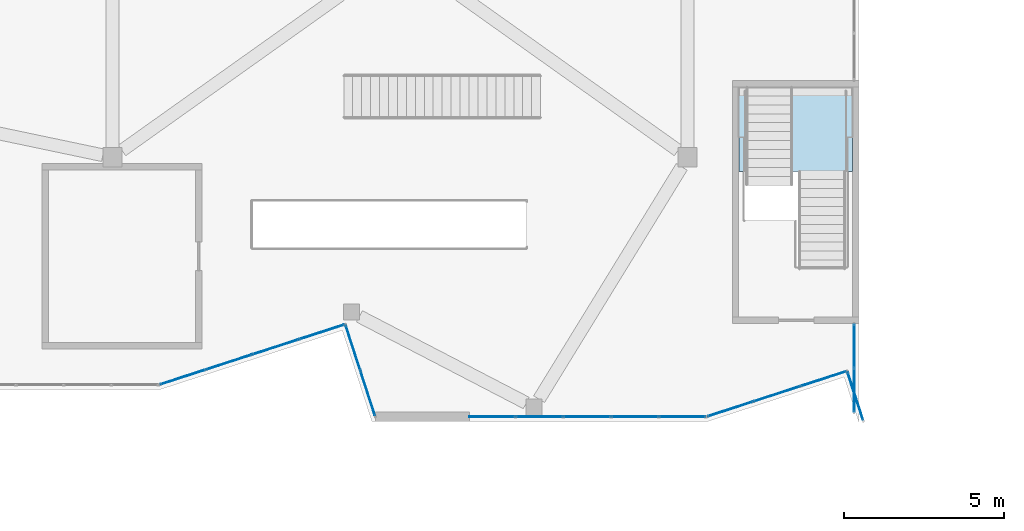
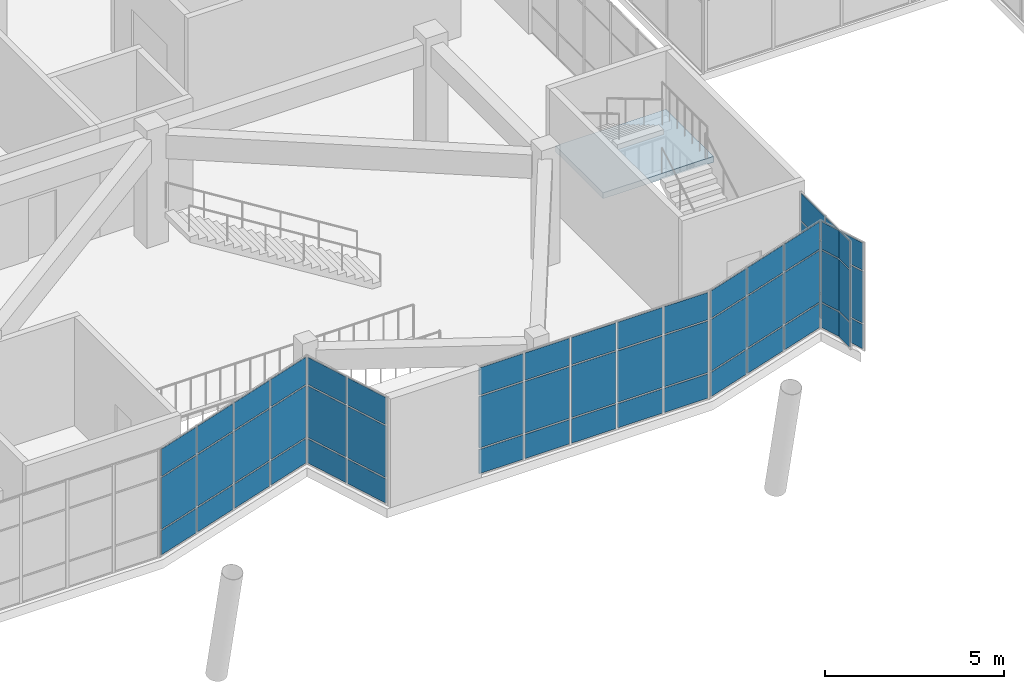
# One storey, part 47 of 66: 51 plates, 1 slab, 7 elements without a shape of their own.
"""IFC4 building model written with IfcOpenShell, lengths in metres."""

from ifc_helpers import new_model, si_unit, direction, frame, origin, origin_2d, place, context, subcontext, project, spatial, polyline, rectangle, outline, extrude, material, layer, layer_set, type_object, element, aggregate, save


model = new_model("IFC4")

# Units and contexts
model_context = context("Model", 3, precision=1e-05, world=origin(), true_north=direction((0.0, 1.0)))
body_context = subcontext(model_context, "Body", "Model", "MODEL_VIEW")
ifc_project = project(units=[si_unit("LENGTHUNIT", "METRE"), si_unit("AREAUNIT", "SQUARE_METRE"), si_unit("VOLUMEUNIT", "CUBIC_METRE"), si_unit("PLANEANGLEUNIT", "RADIAN"), si_unit("MASSUNIT", "GRAM", prefix="KILO")], contexts=[model_context])

# Site, building, storey
site_placement = place(None, origin())
site = spatial("IfcSite", under=ifc_project, at=site_placement, CompositionType="ELEMENT")
building_placement = place(site_placement, origin())
building = spatial("IfcBuilding", under=site, at=building_placement, Name="Tuart Plaza Theatre", CompositionType="ELEMENT")
storey_placement = place(building_placement, frame((0.0, 0.0, 5.5)))
storey = spatial("IfcBuildingStorey", under=building, at=storey_placement, Name="L01", CompositionType="ELEMENT", Elevation=5.5)

# Curtain wall, plates
ifc_material_1 = material(Name="Aluminium and glass", Category="aluminium")
ifc_layer_1 = layer(ifc_material_1, 0.10009765625)
ifc_layer_set_1 = layer_set([ifc_layer_1], Name="CURTAIN WALL 1500 module")
curtain_wall_type = type_object("IfcCurtainWallType", Name="CURTAIN WALL 1500 module", PredefinedType="NOTDEFINED", material=ifc_layer_set_1)
curtain_wall_1_placement = place(storey_placement, origin())
curtain_wall_1 = element("IfcCurtainWall", 1, at=curtain_wall_1_placement, inside=storey, type_object=curtain_wall_type, Name="CW16", PredefinedType="NOTDEFINED")
ifc_material_2 = material(Name="Glass", Category="glass")
ifc_layer_2 = layer(ifc_material_2, 0.028076171875)
ifc_layer_set_2 = layer_set([ifc_layer_2], Name="CURTAIN PANEL double glazed 28")
plate_type = type_object("IfcPlateType", Name="CURTAIN PANEL double glazed 28", PredefinedType="CURTAIN_PANEL", material=ifc_layer_set_2)
plate_1_placement = place(storey_placement, frame((89.203369140625, 42.718505859375, 0.0498046875), z_axis=(0.0, 0.0, 1.0), x_axis=(0.95105611396, 0.309018232632, 0.0)))
plate_1 = element("IfcPlate", 2, at=plate_1_placement, type_object=plate_type, Name="CW16 panel 1.1", PredefinedType="CURTAIN_PANEL", context=body_context, shape_type="SweptSolid", body=[
    extrude(rectangle(XDim=1.45654296875, YDim=0.028076171875, at=origin_2d()), origin(), (0.0, 0.0, 1.0), 0.824951171875),
])
plate_2_placement = place(storey_placement, frame((89.203369140625, 42.718505859375, 0.925048828125), z_axis=(0.0, 0.0, 1.0), x_axis=(0.95105611396, 0.309018232632, 0.0)))
plate_2 = element("IfcPlate", 3, at=plate_2_placement, type_object=plate_type, Name="CW16 panel 1.2", PredefinedType="CURTAIN_PANEL", context=body_context, shape_type="SweptSolid", body=[
    extrude(rectangle(XDim=1.45654296875, YDim=0.028076171875, at=origin_2d()), origin(), (0.0, 0.0, 1.0), 1.75),
])
plate_3_placement = place(storey_placement, frame((89.203369140625, 42.718505859375, 2.72509765625), z_axis=(0.0, 0.0, 1.0), x_axis=(0.95105611396, 0.309018232632, 0.0)))
plate_3 = element("IfcPlate", 4, at=plate_3_placement, type_object=plate_type, Name="CW16 panel 1.3", PredefinedType="CURTAIN_PANEL", context=body_context, shape_type="SweptSolid", body=[
    extrude(rectangle(XDim=1.45654296875, YDim=0.028076171875, at=origin_2d()), origin(), (0.0, 0.0, 1.0), 0.925048828125),
])
plate_4_placement = place(storey_placement, frame((90.64794921875, 43.18798828125, 0.0498046875), z_axis=(0.0, 0.0, 1.0), x_axis=(0.95105611396, 0.309018232632, 0.0)))
plate_4 = element("IfcPlate", 5, at=plate_4_placement, type_object=plate_type, Name="CW16 panel 2.1", PredefinedType="CURTAIN_PANEL", context=body_context, shape_type="SweptSolid", body=[
    extrude(rectangle(XDim=1.4814453125, YDim=0.028076171875, at=origin_2d()), origin(), (0.0, 0.0, 1.0), 0.824951171875),
])
plate_5_placement = place(storey_placement, frame((90.64794921875, 43.18798828125, 0.925048828125), z_axis=(0.0, 0.0, 1.0), x_axis=(0.95105611396, 0.309018232632, 0.0)))
plate_5 = element("IfcPlate", 6, at=plate_5_placement, type_object=plate_type, Name="CW16 panel 2.2", PredefinedType="CURTAIN_PANEL", context=body_context, shape_type="SweptSolid", body=[
    extrude(rectangle(XDim=1.4814453125, YDim=0.028076171875, at=origin_2d()), origin(), (0.0, 0.0, 1.0), 1.75),
])
plate_6_placement = place(storey_placement, frame((90.64794921875, 43.18798828125, 2.72509765625), z_axis=(0.0, 0.0, 1.0), x_axis=(0.95105611396, 0.309018232632, 0.0)))
plate_6 = element("IfcPlate", 7, at=plate_6_placement, type_object=plate_type, Name="CW16 panel 2.3", PredefinedType="CURTAIN_PANEL", context=body_context, shape_type="SweptSolid", body=[
    extrude(rectangle(XDim=1.4814453125, YDim=0.028076171875, at=origin_2d()), origin(), (0.0, 0.0, 1.0), 0.925048828125),
])
plate_7_placement = place(storey_placement, frame((92.1044921875, 43.6611328125, 0.0498046875), z_axis=(0.0, 0.0, 1.0), x_axis=(0.95105611396, 0.309018232632, 0.0)))
plate_7 = element("IfcPlate", 8, at=plate_7_placement, type_object=plate_type, Name="CW16 panel 3.1", PredefinedType="CURTAIN_PANEL", context=body_context, shape_type="SweptSolid", body=[
    extrude(rectangle(XDim=1.4814453125, YDim=0.028076171875, at=origin_2d()), origin(), (0.0, 0.0, 1.0), 0.824951171875),
])
plate_8_placement = place(storey_placement, frame((92.1044921875, 43.6611328125, 0.925048828125), z_axis=(0.0, 0.0, 1.0), x_axis=(0.95105611396, 0.309018232632, 0.0)))
plate_8 = element("IfcPlate", 9, at=plate_8_placement, type_object=plate_type, Name="CW16 panel 3.2", PredefinedType="CURTAIN_PANEL", context=body_context, shape_type="SweptSolid", body=[
    extrude(rectangle(XDim=1.4814453125, YDim=0.028076171875, at=origin_2d()), origin(), (0.0, 0.0, 1.0), 1.75),
])
plate_9_placement = place(storey_placement, frame((92.1044921875, 43.6611328125, 2.72509765625), z_axis=(0.0, 0.0, 1.0), x_axis=(0.95105611396, 0.309018232632, 0.0)))
plate_9 = element("IfcPlate", 10, at=plate_9_placement, type_object=plate_type, Name="CW16 panel 3.3", PredefinedType="CURTAIN_PANEL", context=body_context, shape_type="SweptSolid", body=[
    extrude(rectangle(XDim=1.4814453125, YDim=0.028076171875, at=origin_2d()), origin(), (0.0, 0.0, 1.0), 0.925048828125),
])
plate_10_placement = place(storey_placement, frame((93.549072265625, 44.130615234375, 0.0498046875), z_axis=(0.0, 0.0, 1.0), x_axis=(0.95105611396, 0.309018232632, 0.0)))
plate_10 = element("IfcPlate", 11, at=plate_10_placement, type_object=plate_type, Name="CW16 panel 4.1", PredefinedType="CURTAIN_PANEL", context=body_context, shape_type="SweptSolid", body=[
    extrude(rectangle(XDim=1.45654296875, YDim=0.028076171875, at=origin_2d()), origin(), (0.0, 0.0, 1.0), 0.824951171875),
])
plate_11_placement = place(storey_placement, frame((93.549072265625, 44.130615234375, 0.925048828125), z_axis=(0.0, 0.0, 1.0), x_axis=(0.95105611396, 0.309018232632, 0.0)))
plate_11 = element("IfcPlate", 12, at=plate_11_placement, type_object=plate_type, Name="CW16 panel 4.2", PredefinedType="CURTAIN_PANEL", context=body_context, shape_type="SweptSolid", body=[
    extrude(rectangle(XDim=1.45654296875, YDim=0.028076171875, at=origin_2d()), origin(), (0.0, 0.0, 1.0), 1.75),
])
plate_12_placement = place(storey_placement, frame((93.549072265625, 44.130615234375, 2.72509765625), z_axis=(0.0, 0.0, 1.0), x_axis=(0.95105611396, 0.309018232632, 0.0)))
plate_12 = element("IfcPlate", 13, at=plate_12_placement, type_object=plate_type, Name="CW16 panel 4.3", PredefinedType="CURTAIN_PANEL", context=body_context, shape_type="SweptSolid", body=[
    extrude(rectangle(XDim=1.45654296875, YDim=0.028076171875, at=origin_2d()), origin(), (0.0, 0.0, 1.0), 0.925048828125),
])
aggregate(curtain_wall_1, [plate_1, plate_2, plate_3, plate_4, plate_5, plate_6, plate_7, plate_8, plate_9, plate_10, plate_11, plate_12])

curtain_wall_2_placement = place(storey_placement, origin())
curtain_wall_2 = element("IfcCurtainWall", 14, at=curtain_wall_2_placement, inside=storey, type_object=curtain_wall_type, Name="CW17", PredefinedType="NOTDEFINED")
plate_13_placement = place(storey_placement, frame((94.528076171875, 43.63623046875, 0.0498046875), z_axis=(0.0, 0.0, 1.0), x_axis=(0.309018232665, -0.951056113949, 0.0)))
plate_13 = element("IfcPlate", 15, at=plate_13_placement, type_object=plate_type, Name="CW17 panel 1.1", PredefinedType="CURTAIN_PANEL", context=body_context, shape_type="SweptSolid", body=[
    extrude(rectangle(XDim=1.4453125, YDim=0.028076171875, at=origin_2d()), origin(), (0.0, 0.0, 1.0), 0.824951171875),
])
plate_14_placement = place(storey_placement, frame((94.528076171875, 43.63623046875, 0.925048828125), z_axis=(0.0, 0.0, 1.0), x_axis=(0.309018232665, -0.951056113949, 0.0)))
plate_14 = element("IfcPlate", 16, at=plate_14_placement, type_object=plate_type, Name="CW17 panel 1.2", PredefinedType="CURTAIN_PANEL", context=body_context, shape_type="SweptSolid", body=[
    extrude(rectangle(XDim=1.4453125, YDim=0.028076171875, at=origin_2d()), origin(), (0.0, 0.0, 1.0), 1.75),
])
plate_15_placement = place(storey_placement, frame((94.528076171875, 43.63623046875, 2.72509765625), z_axis=(0.0, 0.0, 1.0), x_axis=(0.309018232665, -0.951056113949, 0.0)))
plate_15 = element("IfcPlate", 17, at=plate_15_placement, type_object=plate_type, Name="CW17 panel 1.3", PredefinedType="CURTAIN_PANEL", context=body_context, shape_type="SweptSolid", body=[
    extrude(rectangle(XDim=1.4453125, YDim=0.028076171875, at=origin_2d()), origin(), (0.0, 0.0, 1.0), 0.925048828125),
])
plate_16_placement = place(storey_placement, frame((94.990234375, 42.2138671875, 0.0498046875), z_axis=(0.0, 0.0, 1.0), x_axis=(0.309018232665, -0.951056113949, 0.0)))
plate_16 = element("IfcPlate", 18, at=plate_16_placement, type_object=plate_type, Name="CW17 panel 2.1", PredefinedType="CURTAIN_PANEL", context=body_context, shape_type="SweptSolid", body=[
    extrude(rectangle(XDim=1.4453125, YDim=0.028076171875, at=origin_2d()), origin(), (0.0, 0.0, 1.0), 0.824951171875),
])
plate_17_placement = place(storey_placement, frame((94.990234375, 42.2138671875, 0.925048828125), z_axis=(0.0, 0.0, 1.0), x_axis=(0.309018232665, -0.951056113949, 0.0)))
plate_17 = element("IfcPlate", 19, at=plate_17_placement, type_object=plate_type, Name="CW17 panel 2.2", PredefinedType="CURTAIN_PANEL", context=body_context, shape_type="SweptSolid", body=[
    extrude(rectangle(XDim=1.4453125, YDim=0.028076171875, at=origin_2d()), origin(), (0.0, 0.0, 1.0), 1.75),
])
plate_18_placement = place(storey_placement, frame((94.990234375, 42.2138671875, 2.72509765625), z_axis=(0.0, 0.0, 1.0), x_axis=(0.309018232665, -0.951056113949, 0.0)))
plate_18 = element("IfcPlate", 20, at=plate_18_placement, type_object=plate_type, Name="CW17 panel 2.3", PredefinedType="CURTAIN_PANEL", context=body_context, shape_type="SweptSolid", body=[
    extrude(rectangle(XDim=1.4453125, YDim=0.028076171875, at=origin_2d()), origin(), (0.0, 0.0, 1.0), 0.925048828125),
])
aggregate(curtain_wall_2, [plate_13, plate_14, plate_15, plate_16, plate_17, plate_18])

curtain_wall_3_placement = place(storey_placement, origin())
curtain_wall_3 = element("IfcCurtainWall", 21, at=curtain_wall_3_placement, inside=storey, type_object=curtain_wall_type, Name="CW18", PredefinedType="NOTDEFINED")
plate_19_placement = place(storey_placement, frame((98.880126953125, 41.47900390625, 0.0498046875), z_axis=(0.0, 0.0, 1.0), x_axis=(1.0, 0.0, 0.0)))
plate_19 = element("IfcPlate", 22, at=plate_19_placement, type_object=plate_type, Name="CW18 panel 1.1", PredefinedType="CURTAIN_PANEL", context=body_context, shape_type="SweptSolid", body=[
    extrude(rectangle(XDim=1.420166015625, YDim=0.028076171875, at=origin_2d()), origin(), (0.0, 0.0, 1.0), 0.824951171875),
])
plate_20_placement = place(storey_placement, frame((98.880126953125, 41.47900390625, 0.925048828125), z_axis=(0.0, 0.0, 1.0), x_axis=(1.0, 0.0, 0.0)))
plate_20 = element("IfcPlate", 23, at=plate_20_placement, type_object=plate_type, Name="CW18 panel 1.2", PredefinedType="CURTAIN_PANEL", context=body_context, shape_type="SweptSolid", body=[
    extrude(rectangle(XDim=1.420166015625, YDim=0.028076171875, at=origin_2d()), origin(), (0.0, 0.0, 1.0), 1.75),
])
plate_21_placement = place(storey_placement, frame((98.880126953125, 41.47900390625, 2.72509765625), z_axis=(0.0, 0.0, 1.0), x_axis=(1.0, 0.0, 0.0)))
plate_21 = element("IfcPlate", 24, at=plate_21_placement, type_object=plate_type, Name="CW18 panel 1.3", PredefinedType="CURTAIN_PANEL", context=body_context, shape_type="SweptSolid", body=[
    extrude(rectangle(XDim=1.420166015625, YDim=0.028076171875, at=origin_2d()), origin(), (0.0, 0.0, 1.0), 0.925048828125),
])
plate_22_placement = place(storey_placement, frame((100.36279296875, 41.47900390625, 0.0498046875), z_axis=(0.0, 0.0, 1.0), x_axis=(1.0, 0.0, 0.0)))
plate_22 = element("IfcPlate", 25, at=plate_22_placement, type_object=plate_type, Name="CW18 panel 2.1", PredefinedType="CURTAIN_PANEL", context=body_context, shape_type="SweptSolid", body=[
    extrude(rectangle(XDim=1.4453125, YDim=0.028076171875, at=origin_2d()), origin(), (0.0, 0.0, 1.0), 0.824951171875),
])
plate_23_placement = place(storey_placement, frame((100.36279296875, 41.47900390625, 0.925048828125), z_axis=(0.0, 0.0, 1.0), x_axis=(1.0, 0.0, 0.0)))
plate_23 = element("IfcPlate", 26, at=plate_23_placement, type_object=plate_type, Name="CW18 panel 2.2", PredefinedType="CURTAIN_PANEL", context=body_context, shape_type="SweptSolid", body=[
    extrude(rectangle(XDim=1.4453125, YDim=0.028076171875, at=origin_2d()), origin(), (0.0, 0.0, 1.0), 1.75),
])
plate_24_placement = place(storey_placement, frame((100.36279296875, 41.47900390625, 2.72509765625), z_axis=(0.0, 0.0, 1.0), x_axis=(1.0, 0.0, 0.0)))
plate_24 = element("IfcPlate", 27, at=plate_24_placement, type_object=plate_type, Name="CW18 panel 2.3", PredefinedType="CURTAIN_PANEL", context=body_context, shape_type="SweptSolid", body=[
    extrude(rectangle(XDim=1.4453125, YDim=0.028076171875, at=origin_2d()), origin(), (0.0, 0.0, 1.0), 0.925048828125),
])
plate_25_placement = place(storey_placement, frame((101.858154296875, 41.47900390625, 0.0498046875), z_axis=(0.0, 0.0, 1.0), x_axis=(1.0, 0.0, 0.0)))
plate_25 = element("IfcPlate", 28, at=plate_25_placement, type_object=plate_type, Name="CW18 panel 3.1", PredefinedType="CURTAIN_PANEL", context=body_context, shape_type="SweptSolid", body=[
    extrude(rectangle(XDim=1.4453125, YDim=0.028076171875, at=origin_2d()), origin(), (0.0, 0.0, 1.0), 0.824951171875),
])
plate_26_placement = place(storey_placement, frame((101.858154296875, 41.47900390625, 0.925048828125), z_axis=(0.0, 0.0, 1.0), x_axis=(1.0, 0.0, 0.0)))
plate_26 = element("IfcPlate", 29, at=plate_26_placement, type_object=plate_type, Name="CW18 panel 3.2", PredefinedType="CURTAIN_PANEL", context=body_context, shape_type="SweptSolid", body=[
    extrude(rectangle(XDim=1.4453125, YDim=0.028076171875, at=origin_2d()), origin(), (0.0, 0.0, 1.0), 1.75),
])
plate_27_placement = place(storey_placement, frame((101.858154296875, 41.47900390625, 2.72509765625), z_axis=(0.0, 0.0, 1.0), x_axis=(1.0, 0.0, 0.0)))
plate_27 = element("IfcPlate", 30, at=plate_27_placement, type_object=plate_type, Name="CW18 panel 3.3", PredefinedType="CURTAIN_PANEL", context=body_context, shape_type="SweptSolid", body=[
    extrude(rectangle(XDim=1.4453125, YDim=0.028076171875, at=origin_2d()), origin(), (0.0, 0.0, 1.0), 0.925048828125),
])
plate_28_placement = place(storey_placement, frame((103.353271484375, 41.47900390625, 0.0498046875), z_axis=(0.0, 0.0, 1.0), x_axis=(1.0, 0.0, 0.0)))
plate_28 = element("IfcPlate", 31, at=plate_28_placement, type_object=plate_type, Name="CW18 panel 4.1", PredefinedType="CURTAIN_PANEL", context=body_context, shape_type="SweptSolid", body=[
    extrude(rectangle(XDim=1.4453125, YDim=0.028076171875, at=origin_2d()), origin(), (0.0, 0.0, 1.0), 0.824951171875),
])
plate_29_placement = place(storey_placement, frame((103.353271484375, 41.47900390625, 0.925048828125), z_axis=(0.0, 0.0, 1.0), x_axis=(1.0, 0.0, 0.0)))
plate_29 = element("IfcPlate", 32, at=plate_29_placement, type_object=plate_type, Name="CW18 panel 4.2", PredefinedType="CURTAIN_PANEL", context=body_context, shape_type="SweptSolid", body=[
    extrude(rectangle(XDim=1.4453125, YDim=0.028076171875, at=origin_2d()), origin(), (0.0, 0.0, 1.0), 1.75),
])
plate_30_placement = place(storey_placement, frame((103.353271484375, 41.47900390625, 2.72509765625), z_axis=(0.0, 0.0, 1.0), x_axis=(1.0, 0.0, 0.0)))
plate_30 = element("IfcPlate", 33, at=plate_30_placement, type_object=plate_type, Name="CW18 panel 4.3", PredefinedType="CURTAIN_PANEL", context=body_context, shape_type="SweptSolid", body=[
    extrude(rectangle(XDim=1.4453125, YDim=0.028076171875, at=origin_2d()), origin(), (0.0, 0.0, 1.0), 0.925048828125),
])
plate_31_placement = place(storey_placement, frame((104.836181640625, 41.47900390625, 0.0498046875), z_axis=(0.0, 0.0, 1.0), x_axis=(1.0, 0.0, 0.0)))
plate_31 = element("IfcPlate", 34, at=plate_31_placement, type_object=plate_type, Name="CW18 panel 5.1", PredefinedType="CURTAIN_PANEL", context=body_context, shape_type="SweptSolid", body=[
    extrude(rectangle(XDim=1.420166015625, YDim=0.028076171875, at=origin_2d()), origin(), (0.0, 0.0, 1.0), 0.824951171875),
])
plate_32_placement = place(storey_placement, frame((104.836181640625, 41.47900390625, 0.925048828125), z_axis=(0.0, 0.0, 1.0), x_axis=(1.0, 0.0, 0.0)))
plate_32 = element("IfcPlate", 35, at=plate_32_placement, type_object=plate_type, Name="CW18 panel 5.2", PredefinedType="CURTAIN_PANEL", context=body_context, shape_type="SweptSolid", body=[
    extrude(rectangle(XDim=1.420166015625, YDim=0.028076171875, at=origin_2d()), origin(), (0.0, 0.0, 1.0), 1.75),
])
plate_33_placement = place(storey_placement, frame((104.836181640625, 41.47900390625, 2.72509765625), z_axis=(0.0, 0.0, 1.0), x_axis=(1.0, 0.0, 0.0)))
plate_33 = element("IfcPlate", 36, at=plate_33_placement, type_object=plate_type, Name="CW18 panel 5.3", PredefinedType="CURTAIN_PANEL", context=body_context, shape_type="SweptSolid", body=[
    extrude(rectangle(XDim=1.420166015625, YDim=0.028076171875, at=origin_2d()), origin(), (0.0, 0.0, 1.0), 0.925048828125),
])
aggregate(curtain_wall_3, [plate_19, plate_20, plate_21, plate_22, plate_23, plate_24, plate_25, plate_26, plate_27, plate_28, plate_29, plate_30, plate_31, plate_32, plate_33])

curtain_wall_4_placement = place(storey_placement, origin())
curtain_wall_4 = element("IfcCurtainWall", 37, at=curtain_wall_4_placement, inside=storey, type_object=curtain_wall_type, Name="CW19", PredefinedType="NOTDEFINED")
plate_34_placement = place(storey_placement, frame((106.341552734375, 41.720947265625, 0.0498046875), z_axis=(0.0, 0.0, 1.0), x_axis=(0.951099369235, 0.308885075459, 0.0)))
plate_34 = element("IfcPlate", 38, at=plate_34_placement, type_object=plate_type, Name="CW19 panel 1.1", PredefinedType="CURTAIN_PANEL", context=body_context, shape_type="SweptSolid", body=[
    extrude(rectangle(XDim=1.467041015625, YDim=0.028076171875, at=origin_2d()), origin(), (0.0, 0.0, 1.0), 0.824951171875),
])
plate_35_placement = place(storey_placement, frame((106.341552734375, 41.720947265625, 0.925048828125), z_axis=(0.0, 0.0, 1.0), x_axis=(0.951099369235, 0.308885075459, 0.0)))
plate_35 = element("IfcPlate", 39, at=plate_35_placement, type_object=plate_type, Name="CW19 panel 1.2", PredefinedType="CURTAIN_PANEL", context=body_context, shape_type="SweptSolid", body=[
    extrude(rectangle(XDim=1.467041015625, YDim=0.028076171875, at=origin_2d()), origin(), (0.0, 0.0, 1.0), 1.75),
])
plate_36_placement = place(storey_placement, frame((106.341552734375, 41.720947265625, 2.72509765625), z_axis=(0.0, 0.0, 1.0), x_axis=(0.951099369235, 0.308885075459, 0.0)))
plate_36 = element("IfcPlate", 40, at=plate_36_placement, type_object=plate_type, Name="CW19 panel 1.3", PredefinedType="CURTAIN_PANEL", context=body_context, shape_type="SweptSolid", body=[
    extrude(rectangle(XDim=1.467041015625, YDim=0.028076171875, at=origin_2d()), origin(), (0.0, 0.0, 1.0), 0.925048828125),
])
plate_37_placement = place(storey_placement, frame((107.79638671875, 42.193603515625, 0.0498046875), z_axis=(0.0, 0.0, 1.0), x_axis=(0.951099369235, 0.308885075459, 0.0)))
plate_37 = element("IfcPlate", 41, at=plate_37_placement, type_object=plate_type, Name="CW19 panel 2.1", PredefinedType="CURTAIN_PANEL", context=body_context, shape_type="SweptSolid", body=[
    extrude(rectangle(XDim=1.4921875, YDim=0.028076171875, at=origin_2d()), origin(), (0.0, 0.0, 1.0), 0.824951171875),
])
plate_38_placement = place(storey_placement, frame((107.79638671875, 42.193603515625, 0.925048828125), z_axis=(0.0, 0.0, 1.0), x_axis=(0.951099369235, 0.308885075459, 0.0)))
plate_38 = element("IfcPlate", 42, at=plate_38_placement, type_object=plate_type, Name="CW19 panel 2.2", PredefinedType="CURTAIN_PANEL", context=body_context, shape_type="SweptSolid", body=[
    extrude(rectangle(XDim=1.4921875, YDim=0.028076171875, at=origin_2d()), origin(), (0.0, 0.0, 1.0), 1.75),
])
plate_39_placement = place(storey_placement, frame((107.79638671875, 42.193603515625, 2.72509765625), z_axis=(0.0, 0.0, 1.0), x_axis=(0.951099369235, 0.308885075459, 0.0)))
plate_39 = element("IfcPlate", 43, at=plate_39_placement, type_object=plate_type, Name="CW19 panel 2.3", PredefinedType="CURTAIN_PANEL", context=body_context, shape_type="SweptSolid", body=[
    extrude(rectangle(XDim=1.4921875, YDim=0.028076171875, at=origin_2d()), origin(), (0.0, 0.0, 1.0), 0.925048828125),
])
plate_40_placement = place(storey_placement, frame((109.251220703125, 42.666015625, 0.0498046875), z_axis=(0.0, 0.0, 1.0), x_axis=(0.951099369235, 0.308885075459, 0.0)))
plate_40 = element("IfcPlate", 44, at=plate_40_placement, type_object=plate_type, Name="CW19 panel 3.1", PredefinedType="CURTAIN_PANEL", context=body_context, shape_type="SweptSolid", body=[
    extrude(rectangle(XDim=1.467041015625, YDim=0.028076171875, at=origin_2d()), origin(), (0.0, 0.0, 1.0), 0.824951171875),
])
plate_41_placement = place(storey_placement, frame((109.251220703125, 42.666015625, 0.925048828125), z_axis=(0.0, 0.0, 1.0), x_axis=(0.951099369235, 0.308885075459, 0.0)))
plate_41 = element("IfcPlate", 45, at=plate_41_placement, type_object=plate_type, Name="CW19 panel 3.2", PredefinedType="CURTAIN_PANEL", context=body_context, shape_type="SweptSolid", body=[
    extrude(rectangle(XDim=1.467041015625, YDim=0.028076171875, at=origin_2d()), origin(), (0.0, 0.0, 1.0), 1.75),
])
plate_42_placement = place(storey_placement, frame((109.251220703125, 42.666015625, 2.72509765625), z_axis=(0.0, 0.0, 1.0), x_axis=(0.951099369235, 0.308885075459, 0.0)))
plate_42 = element("IfcPlate", 46, at=plate_42_placement, type_object=plate_type, Name="CW19 panel 3.3", PredefinedType="CURTAIN_PANEL", context=body_context, shape_type="SweptSolid", body=[
    extrude(rectangle(XDim=1.467041015625, YDim=0.028076171875, at=origin_2d()), origin(), (0.0, 0.0, 1.0), 0.925048828125),
])
aggregate(curtain_wall_4, [plate_34, plate_35, plate_36, plate_37, plate_38, plate_39, plate_40, plate_41, plate_42])

curtain_wall_5_placement = place(storey_placement, origin())
curtain_wall_5 = element("IfcCurtainWall", 47, at=curtain_wall_5_placement, inside=storey, type_object=curtain_wall_type, Name="CW20", PredefinedType="NOTDEFINED")
plate_43_placement = place(storey_placement, frame((110.2509765625, 42.123779296875, 0.0498046875), z_axis=(0.0, 0.0, 1.0), x_axis=(0.30881459025, -0.951122257572, 0.0)))
plate_43 = element("IfcPlate", 48, at=plate_43_placement, type_object=plate_type, Name="CW20 panel 1.1", PredefinedType="CURTAIN_PANEL", context=body_context, shape_type="SweptSolid", body=[
    extrude(rectangle(XDim=1.54931640625, YDim=0.028076171875, at=origin_2d()), origin(), (0.0, 0.0, 1.0), 0.824951171875),
])
plate_44_placement = place(storey_placement, frame((110.2509765625, 42.123779296875, 0.925048828125), z_axis=(0.0, 0.0, 1.0), x_axis=(0.30881459025, -0.951122257572, 0.0)))
plate_44 = element("IfcPlate", 49, at=plate_44_placement, type_object=plate_type, Name="CW20 panel 1.2", PredefinedType="CURTAIN_PANEL", context=body_context, shape_type="SweptSolid", body=[
    extrude(rectangle(XDim=1.54931640625, YDim=0.028076171875, at=origin_2d()), origin(), (0.0, 0.0, 1.0), 1.75),
])
plate_45_placement = place(storey_placement, frame((110.2509765625, 42.123779296875, 2.72509765625), z_axis=(0.0, 0.0, 1.0), x_axis=(0.30881459025, -0.951122257572, 0.0)))
plate_45 = element("IfcPlate", 50, at=plate_45_placement, type_object=plate_type, Name="CW20 panel 1.3", PredefinedType="CURTAIN_PANEL", context=body_context, shape_type="SweptSolid", body=[
    extrude(rectangle(XDim=1.54931640625, YDim=0.028076171875, at=origin_2d()), origin(), (0.0, 0.0, 1.0), 0.925048828125),
])
aggregate(curtain_wall_5, [plate_43, plate_44, plate_45])

curtain_wall_6_placement = place(storey_placement, origin())
curtain_wall_6 = element("IfcCurtainWall", 51, at=curtain_wall_6_placement, inside=storey, type_object=curtain_wall_type, Name="CW21", PredefinedType="NOTDEFINED")
plate_46_placement = place(storey_placement, frame((110.212890625, 42.30712890625, 0.0498046875), z_axis=(0.0, 0.0, 1.0), x_axis=(0.0, 1.0, 0.0)))
plate_46 = element("IfcPlate", 52, at=plate_46_placement, type_object=plate_type, Name="CW21 panel 1.1", PredefinedType="CURTAIN_PANEL", context=body_context, shape_type="SweptSolid", body=[
    extrude(rectangle(XDim=1.32861328125, YDim=0.028076171875, at=origin_2d()), origin(), (0.0, 0.0, 1.0), 0.824951171875),
])
plate_47_placement = place(storey_placement, frame((110.212890625, 42.30712890625, 0.925048828125), z_axis=(0.0, 0.0, 1.0), x_axis=(0.0, 1.0, 0.0)))
plate_47 = element("IfcPlate", 53, at=plate_47_placement, type_object=plate_type, Name="CW21 panel 1.2", PredefinedType="CURTAIN_PANEL", context=body_context, shape_type="SweptSolid", body=[
    extrude(rectangle(XDim=1.32861328125, YDim=0.028076171875, at=origin_2d()), origin(), (0.0, 0.0, 1.0), 1.75),
])
plate_48_placement = place(storey_placement, frame((110.212890625, 42.30712890625, 2.72509765625), z_axis=(0.0, 0.0, 1.0), x_axis=(0.0, 1.0, 0.0)))
plate_48 = element("IfcPlate", 54, at=plate_48_placement, type_object=plate_type, Name="CW21 panel 1.3", PredefinedType="CURTAIN_PANEL", context=body_context, shape_type="SweptSolid", body=[
    extrude(rectangle(XDim=1.32861328125, YDim=0.028076171875, at=origin_2d()), origin(), (0.0, 0.0, 1.0), 0.925048828125),
])
plate_49_placement = place(storey_placement, frame((110.212890625, 43.685791015625, 0.0498046875), z_axis=(0.0, 0.0, 1.0), x_axis=(0.0, 1.0, 0.0)))
plate_49 = element("IfcPlate", 55, at=plate_49_placement, type_object=plate_type, Name="CW21 panel 2.1", PredefinedType="CURTAIN_PANEL", context=body_context, shape_type="SweptSolid", body=[
    extrude(rectangle(XDim=1.32861328125, YDim=0.028076171875, at=origin_2d()), origin(), (0.0, 0.0, 1.0), 0.824951171875),
])
plate_50_placement = place(storey_placement, frame((110.212890625, 43.685791015625, 0.925048828125), z_axis=(0.0, 0.0, 1.0), x_axis=(0.0, 1.0, 0.0)))
plate_50 = element("IfcPlate", 56, at=plate_50_placement, type_object=plate_type, Name="CW21 panel 2.2", PredefinedType="CURTAIN_PANEL", context=body_context, shape_type="SweptSolid", body=[
    extrude(rectangle(XDim=1.32861328125, YDim=0.028076171875, at=origin_2d()), origin(), (0.0, 0.0, 1.0), 1.75),
])
plate_51_placement = place(storey_placement, frame((110.212890625, 43.685791015625, 2.72509765625), z_axis=(0.0, 0.0, 1.0), x_axis=(0.0, 1.0, 0.0)))
plate_51 = element("IfcPlate", 57, at=plate_51_placement, type_object=plate_type, Name="CW21 panel 2.3", PredefinedType="CURTAIN_PANEL", context=body_context, shape_type="SweptSolid", body=[
    extrude(rectangle(XDim=1.32861328125, YDim=0.028076171875, at=origin_2d()), origin(), (0.0, 0.0, 1.0), 0.925048828125),
])
aggregate(curtain_wall_6, [plate_46, plate_47, plate_48, plate_49, plate_50, plate_51])

# Stair, slab
ifc_material_3 = material(Name="Concrete N40 (40 MPa)", Category="concrete")
stair_type = type_object("IfcStairType", Name="STAIR half turn 1500", PredefinedType="HALF_TURN_STAIR", material=ifc_material_3)
stair_placement = place(storey_placement, origin())
stair = element("IfcStair", 58, at=stair_placement, inside=storey, type_object=stair_type, Name="SB-8", PredefinedType="HALF_TURN_STAIR")
ifc_material_4 = material(Name="Concrete N40 (40 MPa)", Category="concrete")
ifc_layer_3 = layer(ifc_material_4, 0.199951171875)
ifc_layer_set_3 = layer_set([ifc_layer_3], Name="STAIR LANDING 200")
slab_type = type_object("IfcSlabType", Name="STAIR LANDING 200", PredefinedType="LANDING", material=ifc_layer_set_3)
slab_placement = place(storey_placement, frame((0.0, 0.0, 1.800048828125)))
slab = element("IfcSlab", 59, at=slab_placement, type_object=slab_type, Name="SB-8 landing 1", PredefinedType="LANDING", context=body_context, shape_type="SweptSolid", body=[
    extrude(outline(polyline([(110.157958984375, 49.159912109375), (110.157958984375, 51.81005859375), (106.60205078125, 51.81005859375), (106.60205078125, 49.159912109375), (110.157958984375, 49.159912109375)])), origin(), (0.0, 0.0, 1.0), 0.199951171875),
])
aggregate(stair, [slab])

save(model, "model.ifc")
